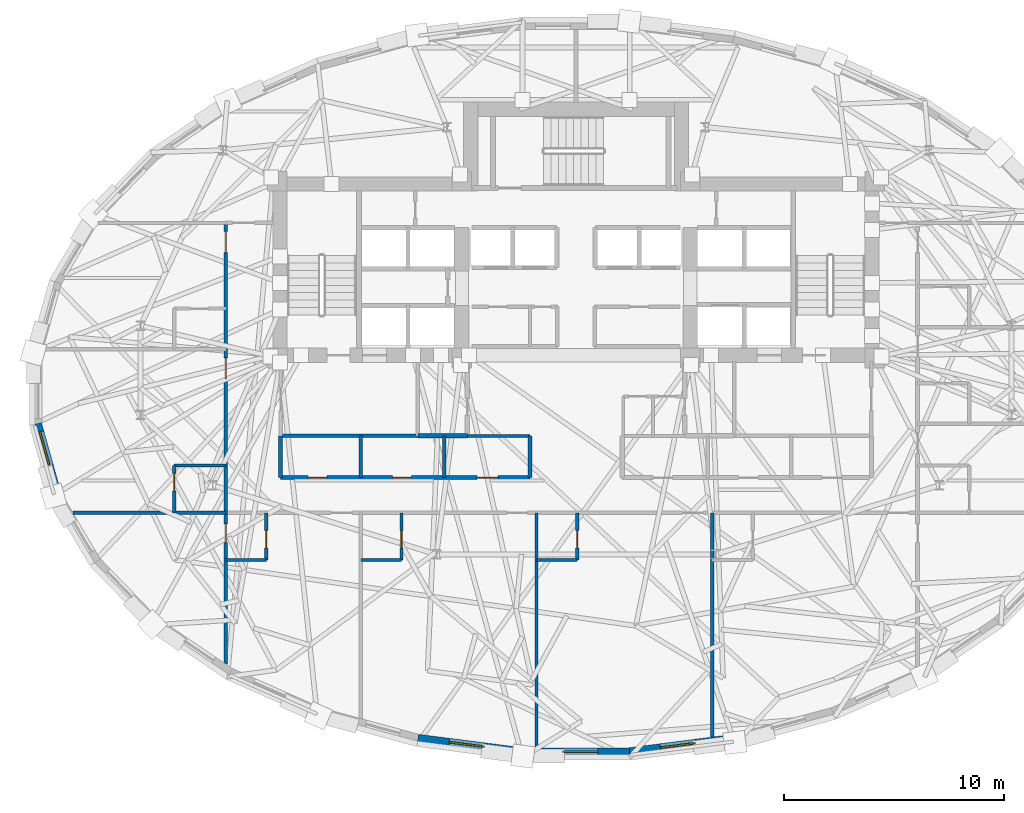
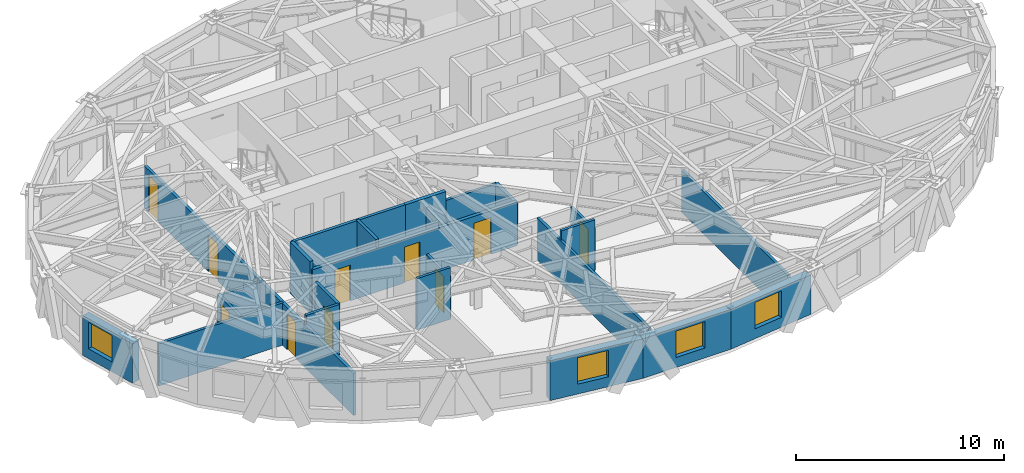
# One storey, part 6 of 15: 24 walls, 10 doors, 4 windows, 14 openings.
"""IFC4 building model written with IfcOpenShell, lengths in metres."""

import ifcopenshell
import ifcopenshell.guid

model = None  # the IFC model being written
_history = None  # IfcOwnerHistory: only IFC2X3 demands one
_inside = {}  # id of a spatial element -> (the spatial element, [elements in it])
_under = {}  # id of a project, library or spatial element -> (it, [spatial elements below it])
_declared = {}  # id of a project -> (the project, [libraries it declares])
_typed = {}  # id of a type object -> (the type object, [elements of that type])
_made_of = {}  # id of a material, layer set ... -> (it, [elements and type objects made of it])


def new_model(schema):
    """Start an empty IFC model of exactly this schema.

    Asked for "IFC4X3", IfcOpenShell would pick the latest addendum, in which some entities
    have other attributes; the version numbers below select the first issue.
    IFC2X3 requires an IfcOwnerHistory on every rooted entity: one is made here for all.
    """
    global model, _history
    if schema == "IFC4X3":
        model = ifcopenshell.file(schema_version=(4, 3, 0, 0))
    else:
        model = ifcopenshell.file(schema=schema)
    _inside.clear()
    _under.clear()
    _declared.clear()
    _typed.clear()
    _made_of.clear()
    _history = None
    if model.schema == "IFC2X3":
        org = make("IfcOrganization", Name="unknown")
        user = make(
            "IfcPersonAndOrganization",
            ThePerson=make("IfcPerson", FamilyName="unknown"),
            TheOrganization=org,
        )
        app = make(
            "IfcApplication",
            ApplicationDeveloper=org,
            Version="unknown",
            ApplicationFullName="unknown",
            ApplicationIdentifier="unknown",
        )
        _history = make(
            "IfcOwnerHistory",
            OwningUser=user,
            OwningApplication=app,
            ChangeAction="ADDED",
            CreationDate=0,
        )
    return model


def make(cls, **values):
    """One entity of the class cls with the attributes given. An attribute that is None is left unset."""
    return model.create_entity(
        cls, **{name: value for name, value in values.items() if value is not None}
    )


def rooted(cls, **values):
    """An entity with a GlobalId (a new one), such as an element, a storey or a relation."""
    return make(cls, GlobalId=ifcopenshell.guid.new(), OwnerHistory=_history, **values)


def si_unit(unit_type, name, prefix=None):
    """IfcSIUnit, for example si_unit("LENGTHUNIT", "METRE", prefix="MILLI")."""
    return make("IfcSIUnit", UnitType=unit_type, Prefix=prefix, Name=name)


def assignment(units):
    """IfcUnitAssignment: the units of a project."""
    return None if units is None else make("IfcUnitAssignment", Units=units)


def point(xyz):
    """IfcCartesianPoint."""
    return None if xyz is None else make("IfcCartesianPoint", Coordinates=xyz)


def direction(xyz):
    """IfcDirection."""
    return None if xyz is None else make("IfcDirection", DirectionRatios=xyz)


def frame(location, z_axis=None, x_axis=None):
    """IfcAxis2Placement3D, a coordinate frame: its origin and axes. An axis left out is left unset."""
    return make(
        "IfcAxis2Placement3D",
        Location=point(location),
        Axis=direction(z_axis),
        RefDirection=direction(x_axis),
    )


def frame_2d(location, x_axis=None):
    """IfcAxis2Placement2D, a coordinate frame in the plane: its origin and x axis."""
    return make(
        "IfcAxis2Placement2D", Location=point(location), RefDirection=direction(x_axis)
    )


def origin():
    """The frame at (0, 0, 0) with its axes left unset."""
    return frame((0.0, 0.0, 0.0))


def place(relative_to, where):
    """IfcLocalPlacement: puts the frame where relative to a parent placement (None: the world)."""
    return make(
        "IfcLocalPlacement", PlacementRelTo=relative_to, RelativePlacement=where
    )


def context(
    kind, dimensions, precision=None, world=None, true_north=None, identifier=None
):
    """IfcGeometricRepresentationContext, for example the 3D "Model" context."""
    return make(
        "IfcGeometricRepresentationContext",
        ContextIdentifier=identifier,
        ContextType=kind,
        CoordinateSpaceDimension=dimensions,
        Precision=precision,
        WorldCoordinateSystem=world,
        TrueNorth=true_north,
    )


def subcontext(parent, identifier, kind, view, scale=None):
    """IfcGeometricRepresentationSubContext, for example "Body" below "Model"."""
    return make(
        "IfcGeometricRepresentationSubContext",
        ContextIdentifier=identifier,
        ContextType=kind,
        ParentContext=parent,
        TargetScale=scale,
        TargetView=view,
    )


def project(units=None, contexts=None):
    """IfcProject with its units and contexts."""
    return rooted(
        "IfcProject",
        Name="project",
        RepresentationContexts=contexts,
        UnitsInContext=assignment(units),
    )


def spatial(cls, under=None, at=None, **own):
    """A site, building, storey or space (cls), placed at a placement, below another one or the project."""
    s = rooted(cls, ObjectPlacement=at, **own)
    if under is not None:
        _under.setdefault(under.id(), (under, []))[1].append(s)
    return s


def profile(cls, at=None, kind="AREA", **sizes):
    """A parametric profile (cls). Its sizes go by their IFC names, for example OverallWidth=200.0."""
    return make(cls, ProfileType=kind, Position=at, **sizes)


def rectangle(**sizes):
    """IfcRectangleProfileDef."""
    return profile("IfcRectangleProfileDef", **sizes)


def extrude(swept, where, along, depth):
    """IfcExtrudedAreaSolid: the profile swept, set in the frame where, extruded along a direction by depth."""
    return make(
        "IfcExtrudedAreaSolid",
        SweptArea=swept,
        Position=where,
        ExtrudedDirection=direction(along),
        Depth=depth,
    )


def shape(context_of_items, identifier, shape_type, items):
    """IfcShapeRepresentation: the items that make up one representation, for example the "Body"."""
    return make(
        "IfcShapeRepresentation",
        ContextOfItems=context_of_items,
        RepresentationIdentifier=identifier,
        RepresentationType=shape_type,
        Items=items,
    )


def material(Name=None, Category=None):
    """IfcMaterial."""
    return make("IfcMaterial", Name=Name, Category=Category)


def layer(
    of_material, thickness, ventilated=None, Name=None, Category=None, Priority=None
):
    """IfcMaterialLayer: one layer of a wall or slab, of a material (None: an air gap)."""
    return make(
        "IfcMaterialLayer",
        Material=of_material,
        LayerThickness=thickness,
        IsVentilated=ventilated,
        Name=Name,
        Category=Category,
        Priority=Priority,
    )


def layer_set(layers, Name=None):
    """IfcMaterialLayerSet."""
    return make("IfcMaterialLayerSet", MaterialLayers=layers, LayerSetName=Name)


def made_of(thing, what):
    """Note that an element or type object is made of a material, layer set ...; save() writes the relation."""
    if what is not None:
        _made_of.setdefault(what.id(), (what, []))[1].append(thing)
    return thing


def type_object(cls, material=None, **own):
    """A type object (cls), such as IfcWallType, which elements share."""
    return made_of(rooted(cls, **own), material)


def element(
    cls,
    number,
    at=None,
    inside=None,
    cuts=None,
    type_object=None,
    material=None,
    context=None,
    identifier="Body",
    shape_type=None,
    held_by="IfcProductDefinitionShape",
    body=None,
    shapes=None,
    **own,
):
    """One element of the class cls, such as IfcWall. Its Tag is "e" and its number.

    at: its placement. inside: the storey or other place that contains it. cuts: it is an
    opening in that element (IfcRelVoidsElement). A single representation is given by context,
    identifier, shape_type and body (its items); several are given by shapes. held_by: the class
    of the entity that holds the representations. save() writes the other relations.
    """
    e = rooted(cls, Tag="e%d" % number, ObjectPlacement=at, **own)
    if body is not None:
        shapes = [shape(context, identifier, shape_type, body)]
    if shapes is not None:
        e.Representation = make(held_by, Representations=shapes)
    if inside is not None:
        _inside.setdefault(inside.id(), (inside, []))[1].append(e)
    if cuts is not None:
        rooted(
            "IfcRelVoidsElement", RelatingBuildingElement=cuts, RelatedOpeningElement=e
        )
    if type_object is not None:
        _typed.setdefault(type_object.id(), (type_object, []))[1].append(e)
    return made_of(e, material)


def fill(opening, filler):
    """IfcRelFillsElement: the door or window that sits in an opening."""
    return rooted(
        "IfcRelFillsElement",
        RelatingOpeningElement=opening,
        RelatedBuildingElement=filler,
    )


def aggregate(whole, parts):
    """IfcRelAggregates: a whole, such as a stair, and the parts it consists of."""
    return rooted("IfcRelAggregates", RelatingObject=whole, RelatedObjects=parts)


def save(model, path):
    """Write the relations noted so far, then the file.

    IfcRelAggregates (storeys below a building ...), IfcRelContainedInSpatialStructure (elements
    in a storey), IfcRelDefinesByType, IfcRelAssociatesMaterial and IfcRelDeclares: one each for
    every whole, place, type object, material and project.
    """
    for whole, parts in _under.values():
        aggregate(whole, parts)
    for where, things in _inside.values():
        rooted(
            "IfcRelContainedInSpatialStructure",
            RelatedElements=things,
            RelatingStructure=where,
        )
    for kind, things in _typed.values():
        rooted("IfcRelDefinesByType", RelatedObjects=things, RelatingType=kind)
    for what, things in _made_of.values():
        rooted("IfcRelAssociatesMaterial", RelatedObjects=things, RelatingMaterial=what)
    for by, libraries in _declared.values():
        rooted("IfcRelDeclares", RelatingContext=by, RelatedDefinitions=libraries)
    model.write(path)


model = new_model("IFC4")

# Units and contexts
model_context = context("Model", 3, precision=1e-05, world=origin(), true_north=direction((0.0, 1.0)))
body_context = subcontext(model_context, "Body", "Model", "MODEL_VIEW")
ifc_project = project(units=[si_unit("LENGTHUNIT", "METRE"), si_unit("AREAUNIT", "SQUARE_METRE"), si_unit("VOLUMEUNIT", "CUBIC_METRE"), si_unit("PLANEANGLEUNIT", "RADIAN"), si_unit("MASSUNIT", "GRAM", prefix="KILO")], contexts=[model_context])

# Site, building, storey
site_placement = place(None, origin())
site = spatial("IfcSite", under=ifc_project, at=site_placement, CompositionType="ELEMENT")
building_placement = place(site_placement, origin())
building = spatial("IfcBuilding", under=site, at=building_placement, Name="Keldmark Tower", CompositionType="ELEMENT")
storey_placement = place(building_placement, frame((0.0, 0.0, 163.0)))
storey = spatial("IfcBuildingStorey", under=building, at=storey_placement, Name="L44", CompositionType="ELEMENT", Elevation=163.0)

# Wall, openings, doors
ifc_material_1 = material(Name="Heavy Acoustic Plumbing Chase Gypsum Assembly", Category="gypsum")
ifc_layer_1 = layer(ifc_material_1, 0.18994140625)
ifc_layer_set_1 = layer_set([ifc_layer_1], Name="Heavy Acoustic Plumbing Chase Gypsum Assembly")
wall_type_1 = type_object("IfcWallType", Name="Heavy Wet Wall 190 mm", PredefinedType="PLUMBINGWALL", material=ifc_layer_set_1)
wall_1_placement = place(storey_placement, frame((-13.449951171875, -4.050048828125, 0.0), z_axis=(0.0, 0.0, 1.0), x_axis=(1.0, 0.0, 0.0)))
wall_1 = element("IfcWall", 1, at=wall_1_placement, inside=storey, type_object=wall_type_1, Name="L44 Heavy Wet Wall 190 mm SPK-W-S", PredefinedType="PLUMBINGWALL", context=body_context, shape_type="SweptSolid", body=[
    extrude(rectangle(XDim=11.349853515625, YDim=0.18994140625, at=frame_2d((5.6748046875, 0.0))), origin(), (0.0, 0.0, 1.0), 2.554931640625),
])
opening_1_placement = place(wall_1_placement, frame((1.25, 0.0, 0.0)))
opening_1 = element("IfcOpeningElement", 2, at=opening_1_placement, cuts=wall_1, Name="Opening D-WC085", PredefinedType="OPENING", context=body_context, shape_type="SweptSolid", body=[
    extrude(rectangle(XDim=0.85009765625, YDim=2.10009765625, at=frame_2d((0.425048828125, 1.050048828125))), frame((0.0, 0.10498046875, 0.0), z_axis=(0.0, -1.0, 0.0), x_axis=(1.0, 0.0, 0.0)), (0.0, 0.0, 1.0), 0.2099609375),
])
opening_2_placement = place(wall_1_placement, frame((5.10009765625, 0.0, 0.0)))
opening_2 = element("IfcOpeningElement", 3, at=opening_2_placement, cuts=wall_1, Name="Opening D-WC085", PredefinedType="OPENING", context=body_context, shape_type="SweptSolid", body=[
    extrude(rectangle(XDim=0.85009765625, YDim=2.10009765625, at=frame_2d((0.425048828125, 1.050048828125))), frame((0.0, 0.10498046875, 0.0), z_axis=(0.0, -1.0, 0.0), x_axis=(1.0, 0.0, 0.0)), (0.0, 0.0, 1.0), 0.2099609375),
])
opening_3_placement = place(wall_1_placement, frame((8.949951171875, 0.0, 0.0)))
opening_3 = element("IfcOpeningElement", 4, at=opening_3_placement, cuts=wall_1, Name="Opening D-AWC95", PredefinedType="OPENING", context=body_context, shape_type="SweptSolid", body=[
    extrude(rectangle(XDim=0.949951171875, YDim=2.14990234375, at=frame_2d((0.47509765625, 1.074951171875))), frame((0.0, 0.10498046875, 0.0), z_axis=(0.0, -1.0, 0.0), x_axis=(1.0, 0.0, 0.0)), (0.0, 0.0, 1.0), 0.2099609375),
])
ifc_material_2 = material(Name="Painted Solid-Core Architectural Wood", Category="wood")
door_type_1 = type_object("IfcDoorType", Name="Accessible WC Door 950x2150", OperationType="NOTDEFINED", PredefinedType="DOOR", material=ifc_material_2)
door_1_placement = place(opening_3_placement, origin())
door_1 = element("IfcDoor", 5, at=door_1_placement, inside=storey, type_object=door_type_1, Name="L44 Accessible WC Door 950x2150 D-SPKW3-L44", OperationType="SINGLE_SWING_LEFT", OverallHeight=2.14990234375, OverallWidth=0.949951171875, PredefinedType="DOOR", context=body_context, shape_type="SweptSolid", body=[
    extrude(rectangle(XDim=0.949951171875, YDim=2.14990234375, at=frame_2d((0.47509765625, 1.074951171875))), frame((0.0, 0.02490234375, 0.0), z_axis=(0.0, -1.0, 0.0), x_axis=(1.0, 0.0, 0.0)), (0.0, 0.0, 1.0), 0.050048828125),
])
fill(opening_3, door_1)
ifc_material_3 = material(Name="Moisture-Sealed Painted Wood", Category="wood")
door_type_2 = type_object("IfcDoorType", Name="WC Door 850x2100", OperationType="NOTDEFINED", PredefinedType="DOOR", material=ifc_material_3)
door_2_placement = place(opening_1_placement, origin())
door_2 = element("IfcDoor", 6, at=door_2_placement, inside=storey, type_object=door_type_2, Name="L44 WC Door 850x2100 D-SPKW1-L44", OperationType="SINGLE_SWING_LEFT", OverallHeight=2.10009765625, OverallWidth=0.85009765625, PredefinedType="DOOR", context=body_context, shape_type="SweptSolid", body=[
    extrude(rectangle(XDim=0.85009765625, YDim=2.10009765625, at=frame_2d((0.425048828125, 1.050048828125))), frame((0.0, 0.02490234375, 0.0), z_axis=(0.0, -1.0, 0.0), x_axis=(1.0, 0.0, 0.0)), (0.0, 0.0, 1.0), 0.050048828125),
])
fill(opening_1, door_2)
door_3_placement = place(opening_2_placement, origin())
door_3 = element("IfcDoor", 7, at=door_3_placement, inside=storey, type_object=door_type_2, Name="L44 WC Door 850x2100 D-SPKW2-L44", OperationType="SINGLE_SWING_RIGHT", OverallHeight=2.10009765625, OverallWidth=0.85009765625, PredefinedType="DOOR", context=body_context, shape_type="SweptSolid", body=[
    extrude(rectangle(XDim=0.85009765625, YDim=2.10009765625, at=frame_2d((0.425048828125, 1.050048828125))), frame((0.0, 0.02490234375, 0.0), z_axis=(0.0, -1.0, 0.0), x_axis=(1.0, 0.0, 0.0)), (0.0, 0.0, 1.0), 0.050048828125),
])
fill(opening_2, door_3)

# Walls
wall_2_placement = place(storey_placement, frame((-13.449951171875, -4.050048828125, 0.0), z_axis=(0.0, 0.0, 1.0), x_axis=(0.0, 1.0, 0.0)))
element("IfcWall", 8, at=wall_2_placement, inside=storey, type_object=wall_type_1, Name="L44 Heavy Wet Wall 190 mm SPK-W-W", PredefinedType="PLUMBINGWALL", context=body_context, shape_type="SweptSolid", body=[
    extrude(rectangle(XDim=1.900146484375, YDim=0.18994140625, at=frame_2d((0.9501953125, 0.0))), origin(), (0.0, 0.0, 1.0), 3.02001953125),
])
wall_3_placement = place(storey_placement, frame((-2.10009765625, -4.050048828125, 0.0), z_axis=(0.0, 0.0, 1.0), x_axis=(0.0, 1.0, 0.0)))
element("IfcWall", 9, at=wall_3_placement, inside=storey, type_object=wall_type_1, Name="L44 Heavy Wet Wall 190 mm SPK-W-E", PredefinedType="PLUMBINGWALL", context=body_context, shape_type="SweptSolid", body=[
    extrude(rectangle(XDim=1.900146484375, YDim=0.18994140625, at=frame_2d((0.9501953125, 0.0))), origin(), (0.0, 0.0, 1.0), 2.472900390625),
])
ifc_material_4 = material(Name="Type X Fire-Rated Gypsum Partition Assembly", Category="gypsum")
ifc_layer_2 = layer(ifc_material_4, 0.1650390625)
ifc_layer_set_2 = layer_set([ifc_layer_2], Name="Type X Fire-Rated Gypsum Partition Assembly")
wall_type_2 = type_object("IfcWallType", Name="Rated Partition 165 mm", PredefinedType="PARTITIONING", material=ifc_layer_set_2)
wall_4_placement = place(storey_placement, frame((-13.449951171875, -2.14990234375, 0.0), z_axis=(0.0, 0.0, 1.0), x_axis=(1.0, 0.0, 0.0)))
element("IfcWall", 10, at=wall_4_placement, inside=storey, type_object=wall_type_2, Name="L44 Rated Partition 165 mm FSAE-W-S", PredefinedType="PARTITIONING", context=body_context, shape_type="SweptSolid", body=[
    extrude(rectangle(XDim=6.25, YDim=0.1650390625, at=frame_2d((3.125, 0.0))), origin(), (0.0, 0.0, 1.0), 3.02001953125),
])

# Wall, openings, doors
wall_5_placement = place(storey_placement, frame((-15.949951171875, -12.528076171875, 0.0), z_axis=(0.0, 0.0, 1.0), x_axis=(0.0, 1.0, 0.0)))
wall_5 = element("IfcWall", 11, at=wall_5_placement, inside=storey, type_object=wall_type_2, Name="L44 Rated Partition 165 mm HCOR-W", PredefinedType="PARTITIONING", context=body_context, shape_type="SweptSolid", body=[
    extrude(rectangle(XDim=20.078125, YDim=0.1650390625, at=frame_2d((10.0390625, 0.0))), origin(), (0.0, 0.0, 1.0), 2.472900390625),
])
opening_4_placement = place(wall_5_placement, frame((5.527587890625, 0.0, 0.0)))
opening_4 = element("IfcOpeningElement", 12, at=opening_4_placement, cuts=wall_5, Name="Opening D-IN085", PredefinedType="OPENING", context=body_context, shape_type="SweptSolid", body=[
    extrude(rectangle(XDim=0.85009765625, YDim=2.10009765625, at=frame_2d((0.425048828125, 1.050048828125))), frame((0.0, 0.092529296875, 0.0), z_axis=(0.0, -1.0, 0.0), x_axis=(1.0, 0.0, 0.0)), (0.0, 0.0, 1.0), 0.18505859375),
])
opening_5_placement = place(wall_5_placement, frame((12.977783203125, 0.0, 0.0)))
opening_5 = element("IfcOpeningElement", 13, at=opening_5_placement, cuts=wall_5, Name="Opening D-HT095", PredefinedType="OPENING", context=body_context, shape_type="SweptSolid", body=[
    extrude(rectangle(XDim=0.949951171875, YDim=2.14990234375, at=frame_2d((0.47509765625, 1.074951171875))), frame((0.0, 0.092529296875, 0.0), z_axis=(0.0, -1.0, 0.0), x_axis=(1.0, 0.0, 0.0)), (0.0, 0.0, 1.0), 0.18505859375),
])
opening_6_placement = place(wall_5_placement, frame((18.727783203125, 0.0, 0.0)))
opening_6 = element("IfcOpeningElement", 14, at=opening_6_placement, cuts=wall_5, Name="Opening D-HT095", PredefinedType="OPENING", context=body_context, shape_type="SweptSolid", body=[
    extrude(rectangle(XDim=0.949951171875, YDim=2.14990234375, at=frame_2d((0.47509765625, 1.074951171875))), frame((0.0, 0.092529296875, 0.0), z_axis=(0.0, -1.0, 0.0), x_axis=(1.0, 0.0, 0.0)), (0.0, 0.0, 1.0), 0.18505859375),
])
ifc_material_5 = material(Name="Solid-Core Acoustic White Oak Fire-Rated Assembly", Category="wood")
door_type_3 = type_object("IfcDoorType", Name="Hotel Entry Door 950x2150", OperationType="NOTDEFINED", PredefinedType="DOOR", material=ifc_material_5)
door_4_placement = place(opening_5_placement, origin())
door_4 = element("IfcDoor", 15, at=door_4_placement, inside=storey, type_object=door_type_3, Name="L44 Hotel Entry Door 950x2150 D-HR-5-L44", OperationType="SINGLE_SWING_RIGHT", OverallHeight=2.14990234375, OverallWidth=0.949951171875, PredefinedType="DOOR", context=body_context, shape_type="SweptSolid", body=[
    extrude(rectangle(XDim=0.949951171875, YDim=2.14990234375, at=frame_2d((0.47509765625, 1.074951171875))), frame((0.0, 0.02490234375, 0.0), z_axis=(0.0, -1.0, 0.0), x_axis=(1.0, 0.0, 0.0)), (0.0, 0.0, 1.0), 0.050048828125),
])
fill(opening_5, door_4)
door_5_placement = place(opening_6_placement, origin())
door_5 = element("IfcDoor", 16, at=door_5_placement, inside=storey, type_object=door_type_3, Name="L44 Hotel Entry Door 950x2150 D-HR-6-L44", OperationType="SINGLE_SWING_RIGHT", OverallHeight=2.14990234375, OverallWidth=0.949951171875, PredefinedType="DOOR", context=body_context, shape_type="SweptSolid", body=[
    extrude(rectangle(XDim=0.949951171875, YDim=2.14990234375, at=frame_2d((0.47509765625, 1.074951171875))), frame((0.0, 0.02490234375, 0.0), z_axis=(0.0, -1.0, 0.0), x_axis=(1.0, 0.0, 0.0)), (0.0, 0.0, 1.0), 0.050048828125),
])
fill(opening_6, door_5)
ifc_material_6 = material(Name="Painted Architectural Wood", Category="wood")
door_type_4 = type_object("IfcDoorType", Name="Interior Door 850x2100", OperationType="NOTDEFINED", PredefinedType="DOOR", material=ifc_material_6)
door_6_placement = place(opening_4_placement, origin())
door_6 = element("IfcDoor", 17, at=door_6_placement, inside=storey, type_object=door_type_4, Name="L44 Interior Door 850x2100 D-HKSW-L44", OperationType="SINGLE_SWING_LEFT", OverallHeight=2.10009765625, OverallWidth=0.85009765625, PredefinedType="DOOR", context=body_context, shape_type="SweptSolid", body=[
    extrude(rectangle(XDim=0.85009765625, YDim=2.10009765625, at=frame_2d((0.425048828125, 1.050048828125))), frame((0.0, 0.02490234375, 0.0), z_axis=(0.0, -1.0, 0.0), x_axis=(1.0, 0.0, 0.0)), (0.0, 0.0, 1.0), 0.050048828125),
])
fill(opening_4, door_6)

# Wall
ifc_material_7 = material(Name="Fire-Resistant Type X Gypsum Shaftliner Coreboard", Category="gypsum")
ifc_layer_3 = layer(ifc_material_7, 0.199951171875)
ifc_layer_set_3 = layer_set([ifc_layer_3], Name="Fire-Resistant Type X Gypsum Shaftliner Coreboard")
wall_type_3 = type_object("IfcWallType", Name="Shaft Wall 200 mm", PredefinedType="SOLIDWALL", material=ifc_layer_set_3)
wall_6_placement = place(storey_placement, frame((-7.199951171875, -2.14990234375, 0.0), z_axis=(0.0, 0.0, 1.0), x_axis=(1.0, 0.0, 0.0)))
element("IfcWall", 18, at=wall_6_placement, inside=storey, type_object=wall_type_3, Name="L44 Shaft Wall 200 mm RIS-SW-S", PredefinedType="SOLIDWALL", context=body_context, shape_type="SweptSolid", body=[
    extrude(rectangle(XDim=2.25, YDim=0.199951171875, at=frame_2d((1.125, 0.0))), origin(), (0.0, 0.0, 1.0), 3.02001953125),
])

# Wall, opening, window
ifc_material_8 = material(Name="Ironspot Manganese Brick and Kasota Buff Limestone Spandrel Assembly", Category="masonry")
ifc_layer_4 = layer(ifc_material_8, 0.43994140625)
ifc_layer_set_4 = layer_set([ifc_layer_4], Name="Ironspot Manganese Brick and Kasota Buff Limestone Spandrel Assembly")
wall_type_4 = type_object("IfcWallType", Name="Tower Brick Pier and Spandrel Wall 440 mm", PredefinedType="STANDARD", material=ifc_layer_set_4)
wall_7_placement = place(storey_placement, frame((-23.64501953125, -4.846435546875, 0.0), z_axis=(0.0, 0.0, 1.0), x_axis=(-0.269235699479, 0.963074315993, 0.0)))
wall_7 = element("IfcWall", 19, at=wall_7_placement, inside=storey, type_object=wall_type_4, Name="L44 Exterior Brick and Spandrel Wall 17", PredefinedType="STANDARD", context=body_context, shape_type="SweptSolid", body=[
    extrude(rectangle(XDim=3.376953125, YDim=0.43994140625, at=frame_2d((1.6884765625, 0.0))), origin(), (0.0, 0.0, 1.0), 2.31494140625),
])
opening_7_placement = place(wall_7_placement, frame((1.380126953125, 0.0, 0.580078125)))
opening_7 = element("IfcOpeningElement", 20, at=opening_7_placement, cuts=wall_7, Name="Opening W-04", PredefinedType="OPENING", context=body_context, shape_type="SweptSolid", body=[
    extrude(rectangle(XDim=1.60009765625, YDim=1.550048828125, at=frame_2d((0.800048828125, 0.77490234375))), frame((0.0, 0.22998046875, 0.0), z_axis=(0.0, -1.0, 0.0), x_axis=(1.0, 0.0, 0.0)), (0.0, 0.0, 1.0), 0.4599609375),
])
ifc_material_9 = material(Name="Thermally Broken Anodized Aluminum and Triple Low-E Argon Glazing", Category="aluminium")
window_type = type_object("IfcWindowType", Name="Hotel Deep-Set Operable Window 1600x1550", PartitioningType="DOUBLE_PANEL_HORIZONTAL", PredefinedType="WINDOW", material=ifc_material_9)
window_1_placement = place(opening_7_placement, origin())
window_1 = element("IfcWindow", 21, at=window_1_placement, inside=storey, type_object=window_type, Name="L44 Deep-Set Window 17", OverallHeight=1.550048828125, OverallWidth=1.60009765625, PartitioningType="SINGLE_PANEL", PredefinedType="WINDOW", context=body_context, shape_type="SweptSolid", body=[
    extrude(rectangle(XDim=1.60009765625, YDim=1.550048828125, at=frame_2d((0.800048828125, 0.77490234375))), frame((0.0, -0.010009765625, 0.0), z_axis=(0.0, -1.0, 0.0), x_axis=(1.0, 0.0, 0.0)), (0.0, 0.0, 1.0), 0.06005859375),
])
fill(opening_7, window_1)

wall_8_placement = place(storey_placement, frame((-2.4111328125, -16.56982421875, 0.0), z_axis=(0.0, 0.0, 1.0), x_axis=(-0.991852910824, 0.127388395426, 0.0)))
wall_8 = element("IfcWall", 22, at=wall_8_placement, inside=storey, type_object=wall_type_4, Name="L44 Exterior Brick and Spandrel Wall 23", PredefinedType="STANDARD", context=body_context, shape_type="SweptSolid", body=[
    extrude(rectangle(XDim=4.837158203125, YDim=0.43994140625, at=frame_2d((2.41845703125, 0.0))), origin(), (0.0, 0.0, 1.0), 2.31494140625),
])
opening_8_placement = place(wall_8_placement, frame((1.792724609375, 0.0, 0.580078125)))
opening_8 = element("IfcOpeningElement", 23, at=opening_8_placement, cuts=wall_8, Name="Opening W-04", PredefinedType="OPENING", context=body_context, shape_type="SweptSolid", body=[
    extrude(rectangle(XDim=1.60009765625, YDim=1.550048828125, at=frame_2d((0.800048828125, 0.77490234375))), frame((0.0, 0.22998046875, 0.0), z_axis=(0.0, -1.0, 0.0), x_axis=(1.0, 0.0, 0.0)), (0.0, 0.0, 1.0), 0.4599609375),
])
window_2_placement = place(opening_8_placement, origin())
window_2 = element("IfcWindow", 24, at=window_2_placement, inside=storey, type_object=window_type, Name="L44 Deep-Set Window 23", OverallHeight=1.550048828125, OverallWidth=1.60009765625, PartitioningType="SINGLE_PANEL", PredefinedType="WINDOW", context=body_context, shape_type="SweptSolid", body=[
    extrude(rectangle(XDim=1.60009765625, YDim=1.550048828125, at=frame_2d((0.800048828125, 0.77490234375))), frame((0.0, -0.010009765625, 0.0), z_axis=(0.0, -1.0, 0.0), x_axis=(1.0, 0.0, 0.0)), (0.0, 0.0, 1.0), 0.06005859375),
])
fill(opening_8, window_2)

wall_9_placement = place(storey_placement, frame((2.439208984375, -16.568115234375, 0.0), z_axis=(0.0, 0.0, 1.0), x_axis=(-1.0, 0.0, 0.0)))
wall_9 = element("IfcWall", 25, at=wall_9_placement, inside=storey, type_object=wall_type_4, Name="L44 Exterior Brick and Spandrel Wall 24", PredefinedType="STANDARD", context=body_context, shape_type="SweptSolid", body=[
    extrude(rectangle(XDim=4.87841796875, YDim=0.43994140625, at=frame_2d((2.439208984375, 0.0))), origin(), (0.0, 0.0, 1.0), 2.31494140625),
])
opening_9_placement = place(wall_9_placement, frame((1.440673828125, 0.0, 0.580078125)))
opening_9 = element("IfcOpeningElement", 26, at=opening_9_placement, cuts=wall_9, Name="Opening W-04", PredefinedType="OPENING", context=body_context, shape_type="SweptSolid", body=[
    extrude(rectangle(XDim=1.60009765625, YDim=1.550048828125, at=frame_2d((0.800048828125, 0.77490234375))), frame((0.0, 0.22998046875, 0.0), z_axis=(0.0, -1.0, 0.0), x_axis=(1.0, 0.0, 0.0)), (0.0, 0.0, 1.0), 0.4599609375),
])
window_3_placement = place(opening_9_placement, origin())
window_3 = element("IfcWindow", 27, at=window_3_placement, inside=storey, type_object=window_type, Name="L44 Deep-Set Window 24", OverallHeight=1.550048828125, OverallWidth=1.60009765625, PartitioningType="SINGLE_PANEL", PredefinedType="WINDOW", context=body_context, shape_type="SweptSolid", body=[
    extrude(rectangle(XDim=1.60009765625, YDim=1.550048828125, at=frame_2d((0.800048828125, 0.77490234375))), frame((0.0, -0.010009765625, 0.0), z_axis=(0.0, -1.0, 0.0), x_axis=(1.0, 0.0, 0.0)), (0.0, 0.0, 1.0), 0.06005859375),
])
fill(opening_9, window_3)

wall_10_placement = place(storey_placement, frame((7.208984375, -15.95361328125, 0.0), z_axis=(0.0, 0.0, 1.0), x_axis=(-0.991852910824, -0.127388395426, 0.0)))
wall_10 = element("IfcWall", 28, at=wall_10_placement, inside=storey, type_object=wall_type_4, Name="L44 Exterior Brick and Spandrel Wall 25", PredefinedType="STANDARD", context=body_context, shape_type="SweptSolid", body=[
    extrude(rectangle(XDim=4.837158203125, YDim=0.43994140625, at=frame_2d((2.41845703125, 0.0))), origin(), (0.0, 0.0, 1.0), 2.31494140625),
])
opening_10_placement = place(wall_10_placement, frame((1.792724609375, 0.0, 0.580078125)))
opening_10 = element("IfcOpeningElement", 29, at=opening_10_placement, cuts=wall_10, Name="Opening W-04", PredefinedType="OPENING", context=body_context, shape_type="SweptSolid", body=[
    extrude(rectangle(XDim=1.60009765625, YDim=1.550048828125, at=frame_2d((0.800048828125, 0.77490234375))), frame((0.0, 0.22998046875, 0.0), z_axis=(0.0, -1.0, 0.0), x_axis=(1.0, 0.0, 0.0)), (0.0, 0.0, 1.0), 0.4599609375),
])
window_4_placement = place(opening_10_placement, origin())
window_4 = element("IfcWindow", 30, at=window_4_placement, inside=storey, type_object=window_type, Name="L44 Deep-Set Window 25", OverallHeight=1.550048828125, OverallWidth=1.60009765625, PartitioningType="SINGLE_PANEL", PredefinedType="WINDOW", context=body_context, shape_type="SweptSolid", body=[
    extrude(rectangle(XDim=1.60009765625, YDim=1.550048828125, at=frame_2d((0.800048828125, 0.77490234375))), frame((0.0, -0.010009765625, 0.0), z_axis=(0.0, -1.0, 0.0), x_axis=(1.0, 0.0, 0.0)), (0.0, 0.0, 1.0), 0.06005859375),
])
fill(opening_10, window_4)

# Walls
ifc_material_10 = material(Name="Moisture-Resistant Gypsum Plumbing Partition", Category="gypsum")
ifc_layer_5 = layer(ifc_material_10, 0.14990234375)
ifc_layer_set_5 = layer_set([ifc_layer_5], Name="Moisture-Resistant Gypsum Plumbing Partition")
wall_type_5 = type_object("IfcWallType", Name="Wet Wall 150 mm", PredefinedType="PLUMBINGWALL", material=ifc_layer_set_5)
wall_11_placement = place(storey_placement, frame((-4.949951171875, -2.14990234375, 0.0), z_axis=(0.0, 0.0, 1.0), x_axis=(1.0, 0.0, 0.0)))
element("IfcWall", 31, at=wall_11_placement, inside=storey, type_object=wall_type_5, Name="L44 Wet Wall 150 mm SPK-W-N", PredefinedType="PLUMBINGWALL", context=body_context, shape_type="SweptSolid", body=[
    extrude(rectangle(XDim=2.849853515625, YDim=0.14990234375, at=frame_2d((1.4248046875, 0.0))), origin(), (0.0, 0.0, 1.0), 2.472900390625),
])
wall_12_placement = place(storey_placement, frame((-9.800048828125, -4.050048828125, 0.0), z_axis=(0.0, 0.0, 1.0), x_axis=(0.0, 1.0, 0.0)))
element("IfcWall", 32, at=wall_12_placement, inside=storey, type_object=wall_type_5, Name="L44 Wet Wall 150 mm SPK-W-D1", PredefinedType="PLUMBINGWALL", context=body_context, shape_type="SweptSolid", body=[
    extrude(rectangle(XDim=1.900146484375, YDim=0.14990234375, at=frame_2d((0.9501953125, 0.0))), origin(), (0.0, 0.0, 1.0), 3.02001953125),
])
wall_13_placement = place(storey_placement, frame((-6.0, -4.050048828125, 0.0), z_axis=(0.0, 0.0, 1.0), x_axis=(0.0, 1.0, 0.0)))
element("IfcWall", 33, at=wall_13_placement, inside=storey, type_object=wall_type_5, Name="L44 Wet Wall 150 mm SPK-W-D2", PredefinedType="PLUMBINGWALL", context=body_context, shape_type="SweptSolid", body=[
    extrude(rectangle(XDim=1.900146484375, YDim=0.14990234375, at=frame_2d((0.9501953125, 0.0))), origin(), (0.0, 0.0, 1.0), 2.472900390625),
])
wall_14_placement = place(storey_placement, frame((-22.896484375, -5.64990234375, 0.0), z_axis=(0.0, 0.0, 1.0), x_axis=(1.0, 0.0, 0.0)))
element("IfcWall", 34, at=wall_14_placement, inside=storey, type_object=wall_type_5, Name="L44 Wet Wall 150 mm HW-CAP-S", PredefinedType="PLUMBINGWALL", context=body_context, shape_type="SweptSolid", body=[
    extrude(rectangle(XDim=6.946533203125, YDim=0.14990234375, at=frame_2d((3.47314453125, 0.0))), origin(), (0.0, 0.0, 1.0), 2.472900390625),
])
wall_15_placement = place(storey_placement, frame((-1.800048828125, -16.340087890625, 0.0), z_axis=(0.0, 0.0, 1.0), x_axis=(0.0, 1.0, 0.0)))
element("IfcWall", 35, at=wall_15_placement, inside=storey, type_object=wall_type_5, Name="L44 Wet Wall 150 mm HS-DIV-2", PredefinedType="PLUMBINGWALL", context=body_context, shape_type="SweptSolid", body=[
    extrude(rectangle(XDim=10.690185546875, YDim=0.14990234375, at=frame_2d((5.34521484375, 0.0))), origin(), (0.0, 0.0, 1.0), 2.472900390625),
])
wall_16_placement = place(storey_placement, frame((6.199951171875, -15.853271484375, 0.0), z_axis=(0.0, 0.0, 1.0), x_axis=(0.0, 1.0, 0.0)))
element("IfcWall", 36, at=wall_16_placement, inside=storey, type_object=wall_type_5, Name="L44 Wet Wall 150 mm HS-DIV-3", PredefinedType="PLUMBINGWALL", context=body_context, shape_type="SweptSolid", body=[
    extrude(rectangle(XDim=10.203369140625, YDim=0.14990234375, at=frame_2d((5.1015625, 0.0))), origin(), (0.0, 0.0, 1.0), 2.472900390625),
])

# Wall, opening, door
wall_17_placement = place(storey_placement, frame((-14.10009765625, -7.800048828125, 0.0), z_axis=(0.0, 0.0, 1.0), x_axis=(0.0, 1.0, 0.0)))
wall_17 = element("IfcWall", 37, at=wall_17_placement, inside=storey, type_object=wall_type_5, Name="L44 Wet Wall 150 mm HB-S1-E", PredefinedType="PLUMBINGWALL", context=body_context, shape_type="SweptSolid", body=[
    extrude(rectangle(XDim=2.150146484375, YDim=0.14990234375, at=frame_2d((1.0751953125, 0.0))), origin(), (0.0, 0.0, 1.0), 3.02001953125),
])
opening_11_placement = place(wall_17_placement, frame((0.550048828125, 0.0, 0.0)))
opening_11 = element("IfcOpeningElement", 38, at=opening_11_placement, cuts=wall_17, Name="Opening D-BT080", PredefinedType="OPENING", context=body_context, shape_type="SweptSolid", body=[
    extrude(rectangle(XDim=0.800048828125, YDim=2.10009765625, at=frame_2d((0.39990234375, 1.050048828125))), frame((0.0, 0.0849609375, 0.0), z_axis=(0.0, -1.0, 0.0), x_axis=(1.0, 0.0, 0.0)), (0.0, 0.0, 1.0), 0.169921875),
])
ifc_material_11 = material(Name="Moisture-Sealed Stained Wood", Category="wood")
door_type_5 = type_object("IfcDoorType", Name="Bathroom Door 800x2100", OperationType="NOTDEFINED", PredefinedType="DOOR", material=ifc_material_11)
door_7_placement = place(opening_11_placement, origin())
door_7 = element("IfcDoor", 39, at=door_7_placement, inside=storey, type_object=door_type_5, Name="L44 Bathroom Door 800x2100 D-HBS1-L44", OperationType="SINGLE_SWING_RIGHT", OverallHeight=2.10009765625, OverallWidth=0.800048828125, PredefinedType="DOOR", context=body_context, shape_type="SweptSolid", body=[
    extrude(rectangle(XDim=0.800048828125, YDim=2.10009765625, at=frame_2d((0.39990234375, 1.050048828125))), frame((0.0, 0.02490234375, 0.0), z_axis=(0.0, -1.0, 0.0), x_axis=(1.0, 0.0, 0.0)), (0.0, 0.0, 1.0), 0.050048828125),
])
fill(opening_11, door_7)

# Wall
wall_18_placement = place(storey_placement, frame((-15.949951171875, -7.800048828125, 0.0), z_axis=(0.0, 0.0, 1.0), x_axis=(1.0, 0.0, 0.0)))
element("IfcWall", 40, at=wall_18_placement, inside=storey, type_object=wall_type_5, Name="L44 Wet Wall 150 mm HB-S1-S", PredefinedType="PLUMBINGWALL", context=body_context, shape_type="SweptSolid", body=[
    extrude(rectangle(XDim=1.849853515625, YDim=0.14990234375, at=frame_2d((0.9248046875, 0.0))), origin(), (0.0, 0.0, 1.0), 3.02001953125),
])

# Wall, opening, door
wall_19_placement = place(storey_placement, frame((-7.949951171875, -7.800048828125, 0.0), z_axis=(0.0, 0.0, 1.0), x_axis=(0.0, 1.0, 0.0)))
wall_19 = element("IfcWall", 41, at=wall_19_placement, inside=storey, type_object=wall_type_5, Name="L44 Wet Wall 150 mm HB-S2-E", PredefinedType="PLUMBINGWALL", context=body_context, shape_type="SweptSolid", body=[
    extrude(rectangle(XDim=2.150146484375, YDim=0.14990234375, at=frame_2d((1.0751953125, 0.0))), origin(), (0.0, 0.0, 1.0), 2.472900390625),
])
opening_12_placement = place(wall_19_placement, frame((0.550048828125, 0.0, 0.0)))
opening_12 = element("IfcOpeningElement", 42, at=opening_12_placement, cuts=wall_19, Name="Opening D-BT080", PredefinedType="OPENING", context=body_context, shape_type="SweptSolid", body=[
    extrude(rectangle(XDim=0.800048828125, YDim=2.10009765625, at=frame_2d((0.39990234375, 1.050048828125))), frame((0.0, 0.0849609375, 0.0), z_axis=(0.0, -1.0, 0.0), x_axis=(1.0, 0.0, 0.0)), (0.0, 0.0, 1.0), 0.169921875),
])
door_8_placement = place(opening_12_placement, origin())
door_8 = element("IfcDoor", 43, at=door_8_placement, inside=storey, type_object=door_type_5, Name="L44 Bathroom Door 800x2100 D-HBS2-L44", OperationType="SINGLE_SWING_RIGHT", OverallHeight=2.10009765625, OverallWidth=0.800048828125, PredefinedType="DOOR", context=body_context, shape_type="SweptSolid", body=[
    extrude(rectangle(XDim=0.800048828125, YDim=2.10009765625, at=frame_2d((0.39990234375, 1.050048828125))), frame((0.0, 0.02490234375, 0.0), z_axis=(0.0, -1.0, 0.0), x_axis=(1.0, 0.0, 0.0)), (0.0, 0.0, 1.0), 0.050048828125),
])
fill(opening_12, door_8)

# Wall
wall_20_placement = place(storey_placement, frame((-9.800048828125, -7.800048828125, 0.0), z_axis=(0.0, 0.0, 1.0), x_axis=(1.0, 0.0, 0.0)))
element("IfcWall", 44, at=wall_20_placement, inside=storey, type_object=wall_type_5, Name="L44 Wet Wall 150 mm HB-S2-S", PredefinedType="PLUMBINGWALL", context=body_context, shape_type="SweptSolid", body=[
    extrude(rectangle(XDim=1.85009765625, YDim=0.14990234375, at=frame_2d((0.925048828125, 0.0))), origin(), (0.0, 0.0, 1.0), 3.02001953125),
])

# Wall, opening, door
wall_21_placement = place(storey_placement, frame((0.050048828125, -7.800048828125, 0.0), z_axis=(0.0, 0.0, 1.0), x_axis=(0.0, 1.0, 0.0)))
wall_21 = element("IfcWall", 45, at=wall_21_placement, inside=storey, type_object=wall_type_5, Name="L44 Wet Wall 150 mm HB-S3-E", PredefinedType="PLUMBINGWALL", context=body_context, shape_type="SweptSolid", body=[
    extrude(rectangle(XDim=2.150146484375, YDim=0.14990234375, at=frame_2d((1.0751953125, 0.0))), origin(), (0.0, 0.0, 1.0), 2.472900390625),
])
opening_13_placement = place(wall_21_placement, frame((0.550048828125, 0.0, 0.0)))
opening_13 = element("IfcOpeningElement", 46, at=opening_13_placement, cuts=wall_21, Name="Opening D-BT080", PredefinedType="OPENING", context=body_context, shape_type="SweptSolid", body=[
    extrude(rectangle(XDim=0.800048828125, YDim=2.10009765625, at=frame_2d((0.39990234375, 1.050048828125))), frame((0.0, 0.0849609375, 0.0), z_axis=(0.0, -1.0, 0.0), x_axis=(1.0, 0.0, 0.0)), (0.0, 0.0, 1.0), 0.169921875),
])
door_9_placement = place(opening_13_placement, origin())
door_9 = element("IfcDoor", 47, at=door_9_placement, inside=storey, type_object=door_type_5, Name="L44 Bathroom Door 800x2100 D-HBS3-L44", OperationType="SINGLE_SWING_RIGHT", OverallHeight=2.10009765625, OverallWidth=0.800048828125, PredefinedType="DOOR", context=body_context, shape_type="SweptSolid", body=[
    extrude(rectangle(XDim=0.800048828125, YDim=2.10009765625, at=frame_2d((0.39990234375, 1.050048828125))), frame((0.0, 0.02490234375, 0.0), z_axis=(0.0, -1.0, 0.0), x_axis=(1.0, 0.0, 0.0)), (0.0, 0.0, 1.0), 0.050048828125),
])
fill(opening_13, door_9)

# Walls
wall_22_placement = place(storey_placement, frame((-1.800048828125, -7.800048828125, 0.0), z_axis=(0.0, 0.0, 1.0), x_axis=(1.0, 0.0, 0.0)))
element("IfcWall", 48, at=wall_22_placement, inside=storey, type_object=wall_type_5, Name="L44 Wet Wall 150 mm HB-S3-S", PredefinedType="PLUMBINGWALL", context=body_context, shape_type="SweptSolid", body=[
    extrude(rectangle(XDim=1.85009765625, YDim=0.14990234375, at=frame_2d((0.925048828125, 0.0))), origin(), (0.0, 0.0, 1.0), 3.02001953125),
])
wall_23_placement = place(storey_placement, frame((-18.300048828125, -3.5, 0.0), z_axis=(0.0, 0.0, 1.0), x_axis=(1.0, 0.0, 0.0)))
element("IfcWall", 49, at=wall_23_placement, inside=storey, type_object=wall_type_5, Name="L44 Wet Wall 150 mm HB-5-N", PredefinedType="PLUMBINGWALL", context=body_context, shape_type="SweptSolid", body=[
    extrude(rectangle(XDim=2.35009765625, YDim=0.14990234375, at=frame_2d((1.175048828125, 0.0))), origin(), (0.0, 0.0, 1.0), 2.39794921875),
])

# Wall, opening, door
wall_24_placement = place(storey_placement, frame((-18.300048828125, -5.64990234375, 0.0), z_axis=(0.0, 0.0, 1.0), x_axis=(0.0, 1.0, 0.0)))
wall_24 = element("IfcWall", 50, at=wall_24_placement, inside=storey, type_object=wall_type_5, Name="L44 Wet Wall 150 mm HB-5-IN", PredefinedType="PLUMBINGWALL", context=body_context, shape_type="SweptSolid", body=[
    extrude(rectangle(XDim=2.14990234375, YDim=0.14990234375, at=frame_2d((1.074951171875, 0.0))), origin(), (0.0, 0.0, 1.0), 2.472900390625),
])
opening_14_placement = place(wall_24_placement, frame((1.0, 0.0, 0.0)))
opening_14 = element("IfcOpeningElement", 51, at=opening_14_placement, cuts=wall_24, Name="Opening D-BT080", PredefinedType="OPENING", context=body_context, shape_type="SweptSolid", body=[
    extrude(rectangle(XDim=0.800048828125, YDim=2.10009765625, at=frame_2d((0.39990234375, 1.050048828125))), frame((0.0, 0.0849609375, 0.0), z_axis=(0.0, -1.0, 0.0), x_axis=(1.0, 0.0, 0.0)), (0.0, 0.0, 1.0), 0.169921875),
])
door_10_placement = place(opening_14_placement, origin())
door_10 = element("IfcDoor", 52, at=door_10_placement, inside=storey, type_object=door_type_5, Name="L44 Bathroom Door 800x2100 D-HB-5-L44", OperationType="SINGLE_SWING_LEFT", OverallHeight=2.10009765625, OverallWidth=0.800048828125, PredefinedType="DOOR", context=body_context, shape_type="SweptSolid", body=[
    extrude(rectangle(XDim=0.800048828125, YDim=2.10009765625, at=frame_2d((0.39990234375, 1.050048828125))), frame((0.0, 0.02490234375, 0.0), z_axis=(0.0, -1.0, 0.0), x_axis=(1.0, 0.0, 0.0)), (0.0, 0.0, 1.0), 0.050048828125),
])
fill(opening_14, door_10)

save(model, "model.ifc")
